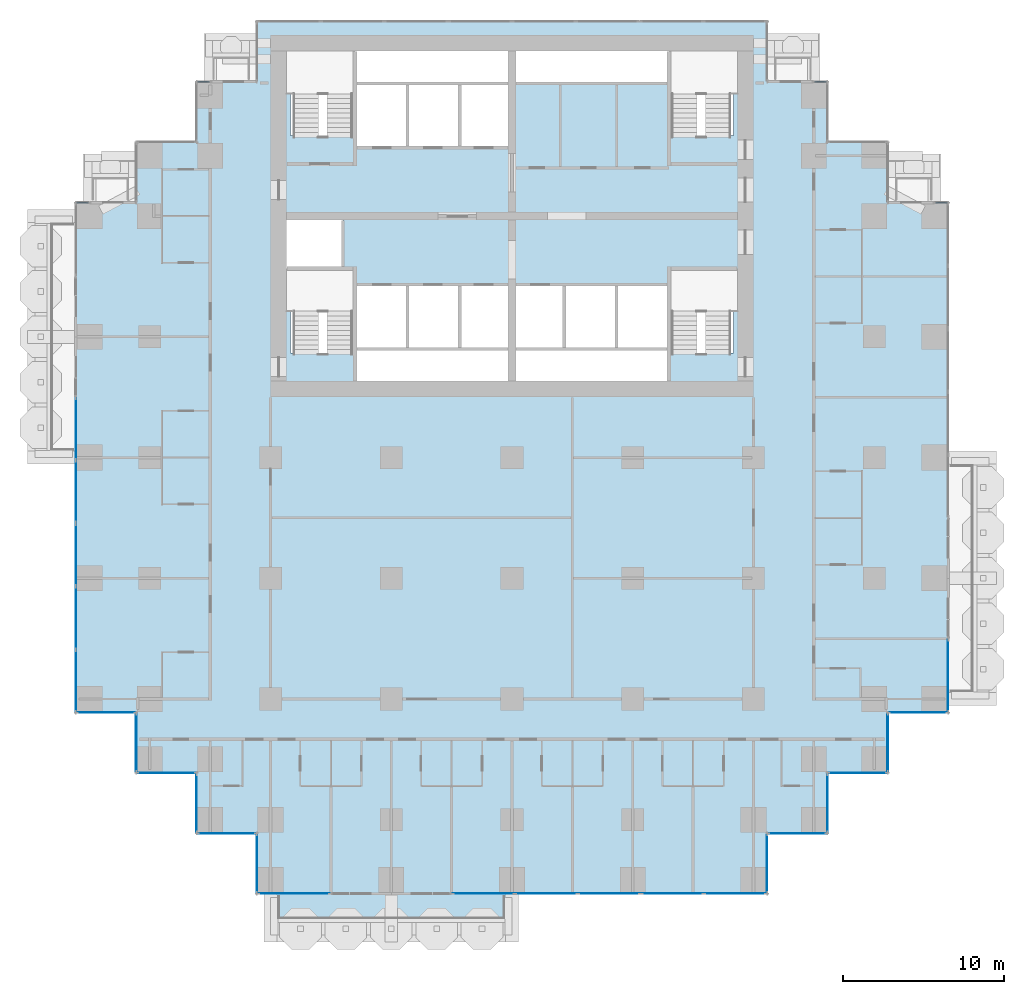
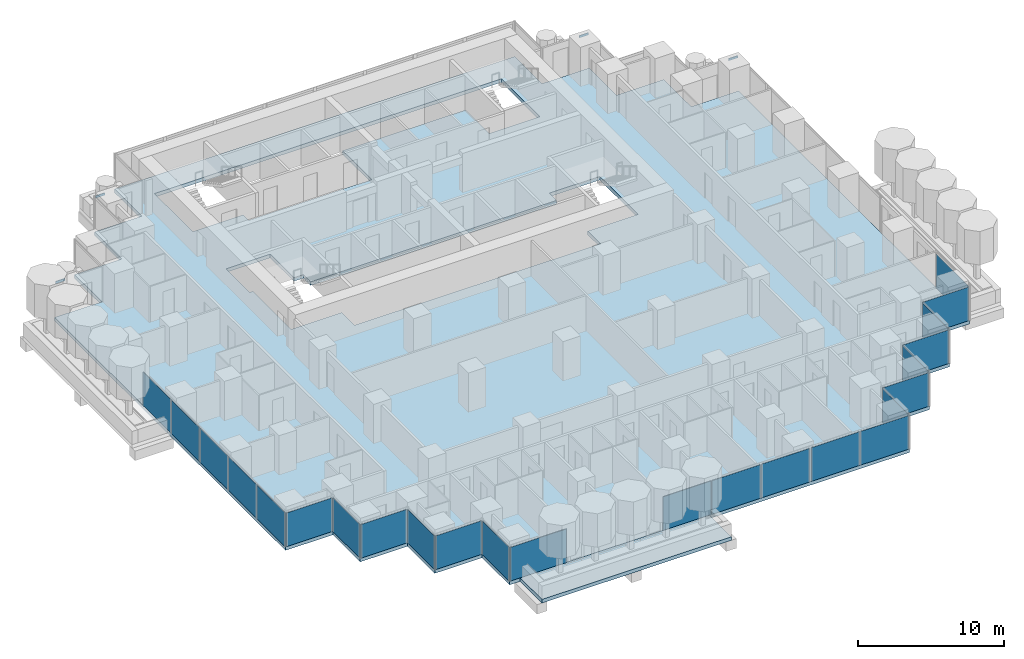
# One storey, part 6 of 17: 24 plates, 4 members, 2 slabs, 22 elements without a shape of their own.
"""IFC4 building model written with IfcOpenShell, lengths in metres."""

from ifc_helpers import new_model, si_unit, direction, frame, origin, origin_2d, place, context, subcontext, project, spatial, polyline, rectangle, outline, extrude, material, layer, layer_set, material_profile, profile_set, type_object, element, aggregate, save


model = new_model("IFC4")

# Units and contexts
model_context = context("Model", 3, precision=1e-05, world=origin(), true_north=direction((0.0, 1.0)))
body_context = subcontext(model_context, "Body", "Model", "MODEL_VIEW")
ifc_project = project(units=[si_unit("LENGTHUNIT", "METRE"), si_unit("AREAUNIT", "SQUARE_METRE"), si_unit("VOLUMEUNIT", "CUBIC_METRE"), si_unit("PLANEANGLEUNIT", "RADIAN"), si_unit("MASSUNIT", "GRAM", prefix="KILO")], contexts=[model_context])

# Site, building, storey
site_placement = place(None, origin())
site = spatial("IfcSite", under=ifc_project, at=site_placement, CompositionType="ELEMENT")
building_placement = place(site_placement, origin())
building = spatial("IfcBuilding", under=site, at=building_placement, Name="Pilkhan Gate Tower", CompositionType="ELEMENT")
storey_placement = place(building_placement, frame((0.0, 0.0, 49.39990234375)))
storey = spatial("IfcBuildingStorey", under=building, at=storey_placement, Name="L09", CompositionType="ELEMENT", Elevation=49.39990234375)

# Curtain wall, member
ifc_material_1 = material(Name="Pale anodised aluminium, clear low-iron double glazing", Category="aluminium")
curtain_wall_type = type_object("IfcCurtainWallType", Name="Hotel unitised curtain wall CW-H", PredefinedType="USERDEFINED", material=ifc_material_1)
curtain_wall_1_placement = place(storey_placement, origin())
curtain_wall_1 = element("IfcCurtainWall", 1, at=curtain_wall_1_placement, inside=storey, type_object=curtain_wall_type, Name="Hotel unitised curtain wall CW-H L09 N", ObjectType="UNITISED CURTAIN WALL", PredefinedType="USERDEFINED")
ifc_material_2 = material(Name="Pale anodised aluminium", Category="aluminium")
ifc_material_profile = material_profile(ifc_material_2, rectangle(XDim=0.06494140625, YDim=0.179931640625, at=origin_2d()), Name="Transom 180x65")
ifc_profile_set = profile_set([ifc_material_profile], Name="Pale anodised aluminium")
member_type = type_object("IfcMemberType", Name="Transom CW-H 180x65", PredefinedType="USERDEFINED", material=ifc_profile_set)
member_1_placement = place(storey_placement, frame((101.31494140625, 83.344970703125, 2.91015625), z_axis=(1.0, 0.0, 0.0), x_axis=(0.0, 1.0, 0.0)))
member_1 = element("IfcMember", 2, at=member_1_placement, type_object=member_type, Name="CW-H transom 1", ObjectType="TRANSOM", PredefinedType="USERDEFINED", context=body_context, shape_type="SweptSolid", body=[
    extrude(rectangle(XDim=0.06494140625, YDim=0.179931640625, at=origin_2d()), origin(), (0.0, 0.0, 1.0), 0.715087890625),
])
aggregate(curtain_wall_1, [member_1])

curtain_wall_2_placement = place(storey_placement, origin())
curtain_wall_2 = element("IfcCurtainWall", 3, at=curtain_wall_2_placement, inside=storey, type_object=curtain_wall_type, Name="Hotel unitised curtain wall CW-H L09 N", ObjectType="UNITISED CURTAIN WALL", PredefinedType="USERDEFINED")
member_2_placement = place(storey_placement, frame((93.81494140625, 90.844970703125, 2.91015625), z_axis=(1.0, 0.0, 0.0), x_axis=(0.0, 1.0, 0.0)))
member_2 = element("IfcMember", 4, at=member_2_placement, type_object=member_type, Name="CW-H transom 1", ObjectType="TRANSOM", PredefinedType="USERDEFINED", context=body_context, shape_type="SweptSolid", body=[
    extrude(rectangle(XDim=0.06494140625, YDim=0.179931640625, at=origin_2d()), origin(), (0.0, 0.0, 1.0), 0.715087890625),
])
aggregate(curtain_wall_2, [member_2])

curtain_wall_3_placement = place(storey_placement, origin())
curtain_wall_3 = element("IfcCurtainWall", 5, at=curtain_wall_3_placement, inside=storey, type_object=curtain_wall_type, Name="Hotel unitised curtain wall CW-H L09 N", ObjectType="UNITISED CURTAIN WALL", PredefinedType="USERDEFINED")
member_3_placement = place(storey_placement, frame((55.469970703125, 90.844970703125, 2.91015625), z_axis=(1.0, 0.0, 0.0), x_axis=(0.0, 1.0, 0.0)))
member_3 = element("IfcMember", 6, at=member_3_placement, type_object=member_type, Name="CW-H transom 1", ObjectType="TRANSOM", PredefinedType="USERDEFINED", context=body_context, shape_type="SweptSolid", body=[
    extrude(rectangle(XDim=0.06494140625, YDim=0.179931640625, at=origin_2d()), origin(), (0.0, 0.0, 1.0), 0.715087890625),
])
aggregate(curtain_wall_3, [member_3])

curtain_wall_4_placement = place(storey_placement, origin())
curtain_wall_4 = element("IfcCurtainWall", 7, at=curtain_wall_4_placement, inside=storey, type_object=curtain_wall_type, Name="Hotel unitised curtain wall CW-H L09 N", ObjectType="UNITISED CURTAIN WALL", PredefinedType="USERDEFINED")
member_4_placement = place(storey_placement, frame((47.969970703125, 83.344970703125, 2.91015625), z_axis=(1.0, 0.0, 0.0), x_axis=(0.0, 1.0, 0.0)))
member_4 = element("IfcMember", 8, at=member_4_placement, type_object=member_type, Name="CW-H transom 1", ObjectType="TRANSOM", PredefinedType="USERDEFINED", context=body_context, shape_type="SweptSolid", body=[
    extrude(rectangle(XDim=0.06494140625, YDim=0.179931640625, at=origin_2d()), origin(), (0.0, 0.0, 1.0), 0.715087890625),
])
aggregate(curtain_wall_4, [member_4])

# Slabs
ifc_material_3 = material(Name="Concrete C60/75", Category="concrete")
ifc_layer_1 = layer(ifc_material_3, 0.300048828125)
ifc_layer_set_1 = layer_set([ifc_layer_1], Name="Balcony tray slab TR300")
slab_type_1 = type_object("IfcSlabType", Name="Balcony tray slab TR300", PredefinedType="FLOOR", material=ifc_layer_set_1)
slab_1_placement = place(storey_placement, frame((0.0, 0.0, -0.2998046875)))
element("IfcSlab", 9, at=slab_1_placement, inside=storey, type_object=slab_type_1, Name="Balcony tray L09 S", PredefinedType="FLOOR", context=body_context, shape_type="SweptSolid", body=[
    extrude(outline(polyline([(75.0, 37.39990234375), (75.0, 40.39990234375), (60.0, 40.39990234375), (60.0, 37.39990234375), (75.0, 37.39990234375)])), origin(), (0.0, 0.0, 1.0), 0.2998046875),
])
ifc_material_4 = material(Name="Concrete C40/50", Category="concrete")
ifc_layer_2 = layer(ifc_material_4, 0.300048828125)
ifc_layer_set_2 = layer_set([ifc_layer_2], Name="Flat plate slab FP300")
slab_type_2 = type_object("IfcSlabType", Name="Flat plate slab FP300", PredefinedType="FLOOR", material=ifc_layer_set_2)
slab_2_placement = place(storey_placement, frame((0.0, 0.0, -0.2998046875)))
element("IfcSlab", 10, at=slab_2_placement, inside=storey, type_object=slab_type_2, Name="Floor slab L09", PredefinedType="FLOOR", context=body_context, shape_type="SweptSolid", body=[
    extrude(outline(polyline([(98.35009765625, 47.89990234375), (94.60009765625, 47.89990234375), (94.60009765625, 44.14990234375), (90.85009765625, 44.14990234375), (90.85009765625, 40.39990234375), (59.14990234375, 40.39990234375), (59.14990234375, 44.14990234375), (55.39990234375, 44.14990234375), (55.39990234375, 47.89990234375), (51.64990234375, 47.89990234375), (51.64990234375, 51.64990234375), (47.89990234375, 51.64990234375), (47.89990234375, 83.35009765625), (51.64990234375, 83.35009765625), (51.64990234375, 87.10009765625), (55.39990234375, 87.10009765625), (55.39990234375, 90.85009765625), (59.14990234375, 90.85009765625), (59.14990234375, 94.60009765625), (90.85009765625, 94.60009765625), (90.85009765625, 90.85009765625), (94.60009765625, 90.85009765625), (94.60009765625, 87.10009765625), (98.35009765625, 87.10009765625), (98.35009765625, 83.35009765625), (102.10009765625, 83.35009765625), (102.10009765625, 51.64990234375), (98.35009765625, 51.64990234375), (98.35009765625, 47.89990234375)]), holes=[polyline([(65.25, 87.5), (65.25, 86.75), (68.5, 86.75), (71.75, 86.75), (75.0, 86.75), (75.0, 90.75), (84.75, 90.75), (84.75, 87.5), (88.75, 87.5), (88.75, 92.75), (84.75, 92.75), (75.0, 92.75), (65.25, 92.75), (61.25, 92.75), (61.25, 87.5), (65.25, 87.5)]), polyline([(75.0, 72.25), (84.75, 72.25), (84.75, 74.0), (88.75, 74.0), (88.75, 79.25), (84.75, 79.25), (84.75, 78.25), (81.5, 78.25), (78.25, 78.25), (75.0, 78.25), (71.75, 78.25), (68.5, 78.25), (65.25, 78.25), (65.25, 79.25), (64.5, 79.25), (64.5, 82.5), (61.25, 82.5), (61.0, 82.5), (61.0, 79.25), (61.25, 79.25), (61.25, 74.0), (65.25, 74.0), (65.25, 72.25), (75.0, 72.25)])]), origin(), (0.0, 0.0, 1.0), 0.2998046875),
])

# Curtain wall, plate
curtain_wall_5_placement = place(storey_placement, origin())
curtain_wall_5 = element("IfcCurtainWall", 11, at=curtain_wall_5_placement, inside=storey, type_object=curtain_wall_type, Name="Hotel unitised curtain wall CW-H L09 E", ObjectType="UNITISED CURTAIN WALL", PredefinedType="USERDEFINED")
ifc_material_5 = material(Name="Clear low-iron double glazing", Category="glass")
ifc_layer_3 = layer(ifc_material_5, 0.035888671875)
ifc_layer_set_3 = layer_set([ifc_layer_3], Name="Glass panel CW-H 36")
plate_type = type_object("IfcPlateType", Name="Glass panel CW-H 36", PredefinedType="CURTAIN_PANEL", material=ifc_layer_set_3)
plate_1_placement = place(storey_placement, frame((102.094970703125, 53.952392578125, 0.0), z_axis=(0.0, 0.0, 1.0), x_axis=(0.0, 1.0, 0.0)))
plate_1 = element("IfcPlate", 12, at=plate_1_placement, type_object=plate_type, Name="CW-H panel 1", PredefinedType="CURTAIN_PANEL", context=body_context, shape_type="SweptSolid", body=[
    extrude(rectangle(XDim=4.465087890625, YDim=0.035888671875, at=origin_2d()), origin(), (0.0, 0.0, 1.0), 2.820068359375),
])
aggregate(curtain_wall_5, [plate_1])

# Curtain wall, plates
curtain_wall_6_placement = place(storey_placement, origin())
curtain_wall_6 = element("IfcCurtainWall", 13, at=curtain_wall_6_placement, inside=storey, type_object=curtain_wall_type, Name="Hotel unitised curtain wall CW-H L09 W", ObjectType="UNITISED CURTAIN WALL", PredefinedType="USERDEFINED")
plate_2_placement = place(storey_placement, frame((47.905029296875, 53.630859375, 0.0), z_axis=(0.0, 0.0, 1.0), x_axis=(0.0, 1.0, 0.0)))
plate_2 = element("IfcPlate", 14, at=plate_2_placement, type_object=plate_type, Name="CW-H panel 1", PredefinedType="CURTAIN_PANEL", context=body_context, shape_type="SweptSolid", body=[
    extrude(rectangle(XDim=3.821533203125, YDim=0.035888671875, at=origin_2d()), origin(), (0.0, 0.0, 1.0), 2.820068359375),
])
plate_3_placement = place(storey_placement, frame((47.905029296875, 57.533447265625, 0.0), z_axis=(0.0, 0.0, 1.0), x_axis=(0.0, 1.0, 0.0)))
plate_3 = element("IfcPlate", 15, at=plate_3_placement, type_object=plate_type, Name="CW-H panel 2", PredefinedType="CURTAIN_PANEL", context=body_context, shape_type="SweptSolid", body=[
    extrude(rectangle(XDim=3.85400390625, YDim=0.035888671875, at=origin_2d()), origin(), (0.0, 0.0, 1.0), 2.820068359375),
])
plate_4_placement = place(storey_placement, frame((47.905029296875, 61.436279296875, 0.0), z_axis=(0.0, 0.0, 1.0), x_axis=(0.0, 1.0, 0.0)))
plate_4 = element("IfcPlate", 16, at=plate_4_placement, type_object=plate_type, Name="CW-H panel 3", PredefinedType="CURTAIN_PANEL", context=body_context, shape_type="SweptSolid", body=[
    extrude(rectangle(XDim=3.821533203125, YDim=0.035888671875, at=origin_2d()), origin(), (0.0, 0.0, 1.0), 2.820068359375),
])
aggregate(curtain_wall_6, [plate_2, plate_3, plate_4])

curtain_wall_7_placement = place(storey_placement, origin())
curtain_wall_7 = element("IfcCurtainWall", 17, at=curtain_wall_7_placement, inside=storey, type_object=curtain_wall_type, Name="Hotel unitised curtain wall CW-H L09 W", ObjectType="UNITISED CURTAIN WALL", PredefinedType="USERDEFINED")
plate_5_placement = place(storey_placement, frame((47.905029296875, 65.3876953125, 0.0), z_axis=(0.0, 0.0, 1.0), x_axis=(0.0, 1.0, 0.0)))
plate_5 = element("IfcPlate", 18, at=plate_5_placement, type_object=plate_type, Name="CW-H panel 1", PredefinedType="CURTAIN_PANEL", context=body_context, shape_type="SweptSolid", body=[
    extrude(rectangle(XDim=3.821533203125, YDim=0.035888671875, at=origin_2d()), origin(), (0.0, 0.0, 1.0), 2.820068359375),
])
plate_6_placement = place(storey_placement, frame((47.905029296875, 69.274169921875, 0.0), z_axis=(0.0, 0.0, 1.0), x_axis=(0.0, 1.0, 0.0)))
plate_6 = element("IfcPlate", 19, at=plate_6_placement, type_object=plate_type, Name="CW-H panel 2", PredefinedType="CURTAIN_PANEL", context=body_context, shape_type="SweptSolid", body=[
    extrude(rectangle(XDim=3.821533203125, YDim=0.035888671875, at=origin_2d()), origin(), (0.0, 0.0, 1.0), 2.820068359375),
])
aggregate(curtain_wall_7, [plate_5, plate_6])

# Curtain wall, plate
curtain_wall_8_placement = place(storey_placement, origin())
curtain_wall_8 = element("IfcCurtainWall", 20, at=curtain_wall_8_placement, inside=storey, type_object=curtain_wall_type, Name="Hotel unitised curtain wall CW-H L09 S", ObjectType="UNITISED CURTAIN WALL", PredefinedType="USERDEFINED")
plate_7_placement = place(storey_placement, frame((49.780029296875, 51.655029296875, 0.0), z_axis=(0.0, 0.0, 1.0), x_axis=(1.0, 0.0, 0.0)))
plate_7 = element("IfcPlate", 21, at=plate_7_placement, type_object=plate_type, Name="CW-H panel 1", PredefinedType="CURTAIN_PANEL", context=body_context, shape_type="SweptSolid", body=[
    extrude(rectangle(XDim=3.6201171875, YDim=0.035888671875, at=origin_2d()), origin(), (0.0, 0.0, 1.0), 2.820068359375),
])
aggregate(curtain_wall_8, [plate_7])

curtain_wall_9_placement = place(storey_placement, origin())
curtain_wall_9 = element("IfcCurtainWall", 22, at=curtain_wall_9_placement, inside=storey, type_object=curtain_wall_type, Name="Hotel unitised curtain wall CW-H L09 W", ObjectType="UNITISED CURTAIN WALL", PredefinedType="USERDEFINED")
plate_8_placement = place(storey_placement, frame((51.655029296875, 49.780029296875, 0.0), z_axis=(0.0, 0.0, 1.0), x_axis=(0.0, 1.0, 0.0)))
plate_8 = element("IfcPlate", 23, at=plate_8_placement, type_object=plate_type, Name="CW-H panel 1", PredefinedType="CURTAIN_PANEL", context=body_context, shape_type="SweptSolid", body=[
    extrude(rectangle(XDim=3.6201171875, YDim=0.035888671875, at=origin_2d()), origin(), (0.0, 0.0, 1.0), 2.820068359375),
])
aggregate(curtain_wall_9, [plate_8])

curtain_wall_10_placement = place(storey_placement, origin())
curtain_wall_10 = element("IfcCurtainWall", 24, at=curtain_wall_10_placement, inside=storey, type_object=curtain_wall_type, Name="Hotel unitised curtain wall CW-H L09 S", ObjectType="UNITISED CURTAIN WALL", PredefinedType="USERDEFINED")
plate_9_placement = place(storey_placement, frame((53.530029296875, 47.905029296875, 0.0), z_axis=(0.0, 0.0, 1.0), x_axis=(1.0, 0.0, 0.0)))
plate_9 = element("IfcPlate", 25, at=plate_9_placement, type_object=plate_type, Name="CW-H panel 1", PredefinedType="CURTAIN_PANEL", context=body_context, shape_type="SweptSolid", body=[
    extrude(rectangle(XDim=3.6201171875, YDim=0.035888671875, at=origin_2d()), origin(), (0.0, 0.0, 1.0), 2.820068359375),
])
aggregate(curtain_wall_10, [plate_9])

curtain_wall_11_placement = place(storey_placement, origin())
curtain_wall_11 = element("IfcCurtainWall", 26, at=curtain_wall_11_placement, inside=storey, type_object=curtain_wall_type, Name="Hotel unitised curtain wall CW-H L09 W", ObjectType="UNITISED CURTAIN WALL", PredefinedType="USERDEFINED")
plate_10_placement = place(storey_placement, frame((55.405029296875, 46.030029296875, 0.0), z_axis=(0.0, 0.0, 1.0), x_axis=(0.0, 1.0, 0.0)))
plate_10 = element("IfcPlate", 27, at=plate_10_placement, type_object=plate_type, Name="CW-H panel 1", PredefinedType="CURTAIN_PANEL", context=body_context, shape_type="SweptSolid", body=[
    extrude(rectangle(XDim=3.6201171875, YDim=0.035888671875, at=origin_2d()), origin(), (0.0, 0.0, 1.0), 2.820068359375),
])
aggregate(curtain_wall_11, [plate_10])

curtain_wall_12_placement = place(storey_placement, origin())
curtain_wall_12 = element("IfcCurtainWall", 28, at=curtain_wall_12_placement, inside=storey, type_object=curtain_wall_type, Name="Hotel unitised curtain wall CW-H L09 S", ObjectType="UNITISED CURTAIN WALL", PredefinedType="USERDEFINED")
plate_11_placement = place(storey_placement, frame((57.280029296875, 44.155029296875, 0.0), z_axis=(0.0, 0.0, 1.0), x_axis=(1.0, 0.0, 0.0)))
plate_11 = element("IfcPlate", 29, at=plate_11_placement, type_object=plate_type, Name="CW-H panel 1", PredefinedType="CURTAIN_PANEL", context=body_context, shape_type="SweptSolid", body=[
    extrude(rectangle(XDim=3.6201171875, YDim=0.035888671875, at=origin_2d()), origin(), (0.0, 0.0, 1.0), 2.820068359375),
])
aggregate(curtain_wall_12, [plate_11])

curtain_wall_13_placement = place(storey_placement, origin())
curtain_wall_13 = element("IfcCurtainWall", 30, at=curtain_wall_13_placement, inside=storey, type_object=curtain_wall_type, Name="Hotel unitised curtain wall CW-H L09 W", ObjectType="UNITISED CURTAIN WALL", PredefinedType="USERDEFINED")
plate_12_placement = place(storey_placement, frame((59.155029296875, 42.280029296875, 0.0), z_axis=(0.0, 0.0, 1.0), x_axis=(0.0, 1.0, 0.0)))
plate_12 = element("IfcPlate", 31, at=plate_12_placement, type_object=plate_type, Name="CW-H panel 1", PredefinedType="CURTAIN_PANEL", context=body_context, shape_type="SweptSolid", body=[
    extrude(rectangle(XDim=3.6201171875, YDim=0.035888671875, at=origin_2d()), origin(), (0.0, 0.0, 1.0), 2.820068359375),
])
aggregate(curtain_wall_13, [plate_12])

curtain_wall_14_placement = place(storey_placement, origin())
curtain_wall_14 = element("IfcCurtainWall", 32, at=curtain_wall_14_placement, inside=storey, type_object=curtain_wall_type, Name="Hotel unitised curtain wall CW-H L09 S", ObjectType="UNITISED CURTAIN WALL", PredefinedType="USERDEFINED")
plate_13_placement = place(storey_placement, frame((61.452392578125, 40.405029296875, 0.0), z_axis=(0.0, 0.0, 1.0), x_axis=(1.0, 0.0, 0.0)))
plate_13 = element("IfcPlate", 33, at=plate_13_placement, type_object=plate_type, Name="CW-H panel 1", PredefinedType="CURTAIN_PANEL", context=body_context, shape_type="SweptSolid", body=[
    extrude(rectangle(XDim=4.465087890625, YDim=0.035888671875, at=origin_2d()), origin(), (0.0, 0.0, 1.0), 2.820068359375),
])
aggregate(curtain_wall_14, [plate_13])

# Curtain wall, plates
curtain_wall_15_placement = place(storey_placement, origin())
curtain_wall_15 = element("IfcCurtainWall", 34, at=curtain_wall_15_placement, inside=storey, type_object=curtain_wall_type, Name="Hotel unitised curtain wall CW-H L09 S", ObjectType="UNITISED CURTAIN WALL", PredefinedType="USERDEFINED")
plate_14_placement = place(storey_placement, frame((73.225830078125, 40.405029296875, 0.0), z_axis=(0.0, 0.0, 1.0), x_axis=(1.0, 0.0, 0.0)))
plate_14 = element("IfcPlate", 35, at=plate_14_placement, type_object=plate_type, Name="CW-H panel 1", PredefinedType="CURTAIN_PANEL", context=body_context, shape_type="SweptSolid", body=[
    extrude(rectangle(XDim=3.821533203125, YDim=0.035888671875, at=origin_2d()), origin(), (0.0, 0.0, 1.0), 2.820068359375),
])
plate_15_placement = place(storey_placement, frame((77.12841796875, 40.405029296875, 0.0), z_axis=(0.0, 0.0, 1.0), x_axis=(1.0, 0.0, 0.0)))
plate_15 = element("IfcPlate", 36, at=plate_15_placement, type_object=plate_type, Name="CW-H panel 2", PredefinedType="CURTAIN_PANEL", context=body_context, shape_type="SweptSolid", body=[
    extrude(rectangle(XDim=3.85400390625, YDim=0.035888671875, at=origin_2d()), origin(), (0.0, 0.0, 1.0), 2.820068359375),
])
plate_16_placement = place(storey_placement, frame((81.03125, 40.405029296875, 0.0), z_axis=(0.0, 0.0, 1.0), x_axis=(1.0, 0.0, 0.0)))
plate_16 = element("IfcPlate", 37, at=plate_16_placement, type_object=plate_type, Name="CW-H panel 3", PredefinedType="CURTAIN_PANEL", context=body_context, shape_type="SweptSolid", body=[
    extrude(rectangle(XDim=3.821533203125, YDim=0.035888671875, at=origin_2d()), origin(), (0.0, 0.0, 1.0), 2.820068359375),
])
aggregate(curtain_wall_15, [plate_14, plate_15, plate_16])

curtain_wall_16_placement = place(storey_placement, origin())
curtain_wall_16 = element("IfcCurtainWall", 38, at=curtain_wall_16_placement, inside=storey, type_object=curtain_wall_type, Name="Hotel unitised curtain wall CW-H L09 S", ObjectType="UNITISED CURTAIN WALL", PredefinedType="USERDEFINED")
plate_17_placement = place(storey_placement, frame((84.982666015625, 40.405029296875, 0.0), z_axis=(0.0, 0.0, 1.0), x_axis=(1.0, 0.0, 0.0)))
plate_17 = element("IfcPlate", 39, at=plate_17_placement, type_object=plate_type, Name="CW-H panel 1", PredefinedType="CURTAIN_PANEL", context=body_context, shape_type="SweptSolid", body=[
    extrude(rectangle(XDim=3.821533203125, YDim=0.035888671875, at=origin_2d()), origin(), (0.0, 0.0, 1.0), 2.820068359375),
])
plate_18_placement = place(storey_placement, frame((88.869140625, 40.405029296875, 0.0), z_axis=(0.0, 0.0, 1.0), x_axis=(1.0, 0.0, 0.0)))
plate_18 = element("IfcPlate", 40, at=plate_18_placement, type_object=plate_type, Name="CW-H panel 2", PredefinedType="CURTAIN_PANEL", context=body_context, shape_type="SweptSolid", body=[
    extrude(rectangle(XDim=3.821533203125, YDim=0.035888671875, at=origin_2d()), origin(), (0.0, 0.0, 1.0), 2.820068359375),
])
aggregate(curtain_wall_16, [plate_17, plate_18])

# Curtain wall, plate
curtain_wall_17_placement = place(storey_placement, origin())
curtain_wall_17 = element("IfcCurtainWall", 41, at=curtain_wall_17_placement, inside=storey, type_object=curtain_wall_type, Name="Hotel unitised curtain wall CW-H L09 E", ObjectType="UNITISED CURTAIN WALL", PredefinedType="USERDEFINED")
plate_19_placement = place(storey_placement, frame((90.844970703125, 42.280029296875, 0.0), z_axis=(0.0, 0.0, 1.0), x_axis=(0.0, 1.0, 0.0)))
plate_19 = element("IfcPlate", 42, at=plate_19_placement, type_object=plate_type, Name="CW-H panel 1", PredefinedType="CURTAIN_PANEL", context=body_context, shape_type="SweptSolid", body=[
    extrude(rectangle(XDim=3.6201171875, YDim=0.035888671875, at=origin_2d()), origin(), (0.0, 0.0, 1.0), 2.820068359375),
])
aggregate(curtain_wall_17, [plate_19])

curtain_wall_18_placement = place(storey_placement, origin())
curtain_wall_18 = element("IfcCurtainWall", 43, at=curtain_wall_18_placement, inside=storey, type_object=curtain_wall_type, Name="Hotel unitised curtain wall CW-H L09 S", ObjectType="UNITISED CURTAIN WALL", PredefinedType="USERDEFINED")
plate_20_placement = place(storey_placement, frame((92.719970703125, 44.155029296875, 0.0), z_axis=(0.0, 0.0, 1.0), x_axis=(1.0, 0.0, 0.0)))
plate_20 = element("IfcPlate", 44, at=plate_20_placement, type_object=plate_type, Name="CW-H panel 1", PredefinedType="CURTAIN_PANEL", context=body_context, shape_type="SweptSolid", body=[
    extrude(rectangle(XDim=3.6201171875, YDim=0.035888671875, at=origin_2d()), origin(), (0.0, 0.0, 1.0), 2.820068359375),
])
aggregate(curtain_wall_18, [plate_20])

curtain_wall_19_placement = place(storey_placement, origin())
curtain_wall_19 = element("IfcCurtainWall", 45, at=curtain_wall_19_placement, inside=storey, type_object=curtain_wall_type, Name="Hotel unitised curtain wall CW-H L09 E", ObjectType="UNITISED CURTAIN WALL", PredefinedType="USERDEFINED")
plate_21_placement = place(storey_placement, frame((94.594970703125, 46.030029296875, 0.0), z_axis=(0.0, 0.0, 1.0), x_axis=(0.0, 1.0, 0.0)))
plate_21 = element("IfcPlate", 46, at=plate_21_placement, type_object=plate_type, Name="CW-H panel 1", PredefinedType="CURTAIN_PANEL", context=body_context, shape_type="SweptSolid", body=[
    extrude(rectangle(XDim=3.6201171875, YDim=0.035888671875, at=origin_2d()), origin(), (0.0, 0.0, 1.0), 2.820068359375),
])
aggregate(curtain_wall_19, [plate_21])

curtain_wall_20_placement = place(storey_placement, origin())
curtain_wall_20 = element("IfcCurtainWall", 47, at=curtain_wall_20_placement, inside=storey, type_object=curtain_wall_type, Name="Hotel unitised curtain wall CW-H L09 S", ObjectType="UNITISED CURTAIN WALL", PredefinedType="USERDEFINED")
plate_22_placement = place(storey_placement, frame((96.469970703125, 47.905029296875, 0.0), z_axis=(0.0, 0.0, 1.0), x_axis=(1.0, 0.0, 0.0)))
plate_22 = element("IfcPlate", 48, at=plate_22_placement, type_object=plate_type, Name="CW-H panel 1", PredefinedType="CURTAIN_PANEL", context=body_context, shape_type="SweptSolid", body=[
    extrude(rectangle(XDim=3.6201171875, YDim=0.035888671875, at=origin_2d()), origin(), (0.0, 0.0, 1.0), 2.820068359375),
])
aggregate(curtain_wall_20, [plate_22])

curtain_wall_21_placement = place(storey_placement, origin())
curtain_wall_21 = element("IfcCurtainWall", 49, at=curtain_wall_21_placement, inside=storey, type_object=curtain_wall_type, Name="Hotel unitised curtain wall CW-H L09 E", ObjectType="UNITISED CURTAIN WALL", PredefinedType="USERDEFINED")
plate_23_placement = place(storey_placement, frame((98.344970703125, 49.780029296875, 0.0), z_axis=(0.0, 0.0, 1.0), x_axis=(0.0, 1.0, 0.0)))
plate_23 = element("IfcPlate", 50, at=plate_23_placement, type_object=plate_type, Name="CW-H panel 1", PredefinedType="CURTAIN_PANEL", context=body_context, shape_type="SweptSolid", body=[
    extrude(rectangle(XDim=3.6201171875, YDim=0.035888671875, at=origin_2d()), origin(), (0.0, 0.0, 1.0), 2.820068359375),
])
aggregate(curtain_wall_21, [plate_23])

curtain_wall_22_placement = place(storey_placement, origin())
curtain_wall_22 = element("IfcCurtainWall", 51, at=curtain_wall_22_placement, inside=storey, type_object=curtain_wall_type, Name="Hotel unitised curtain wall CW-H L09 S", ObjectType="UNITISED CURTAIN WALL", PredefinedType="USERDEFINED")
plate_24_placement = place(storey_placement, frame((100.219970703125, 51.655029296875, 0.0), z_axis=(0.0, 0.0, 1.0), x_axis=(1.0, 0.0, 0.0)))
plate_24 = element("IfcPlate", 52, at=plate_24_placement, type_object=plate_type, Name="CW-H panel 1", PredefinedType="CURTAIN_PANEL", context=body_context, shape_type="SweptSolid", body=[
    extrude(rectangle(XDim=3.6201171875, YDim=0.035888671875, at=origin_2d()), origin(), (0.0, 0.0, 1.0), 2.820068359375),
])
aggregate(curtain_wall_22, [plate_24])

save(model, "model.ifc")
